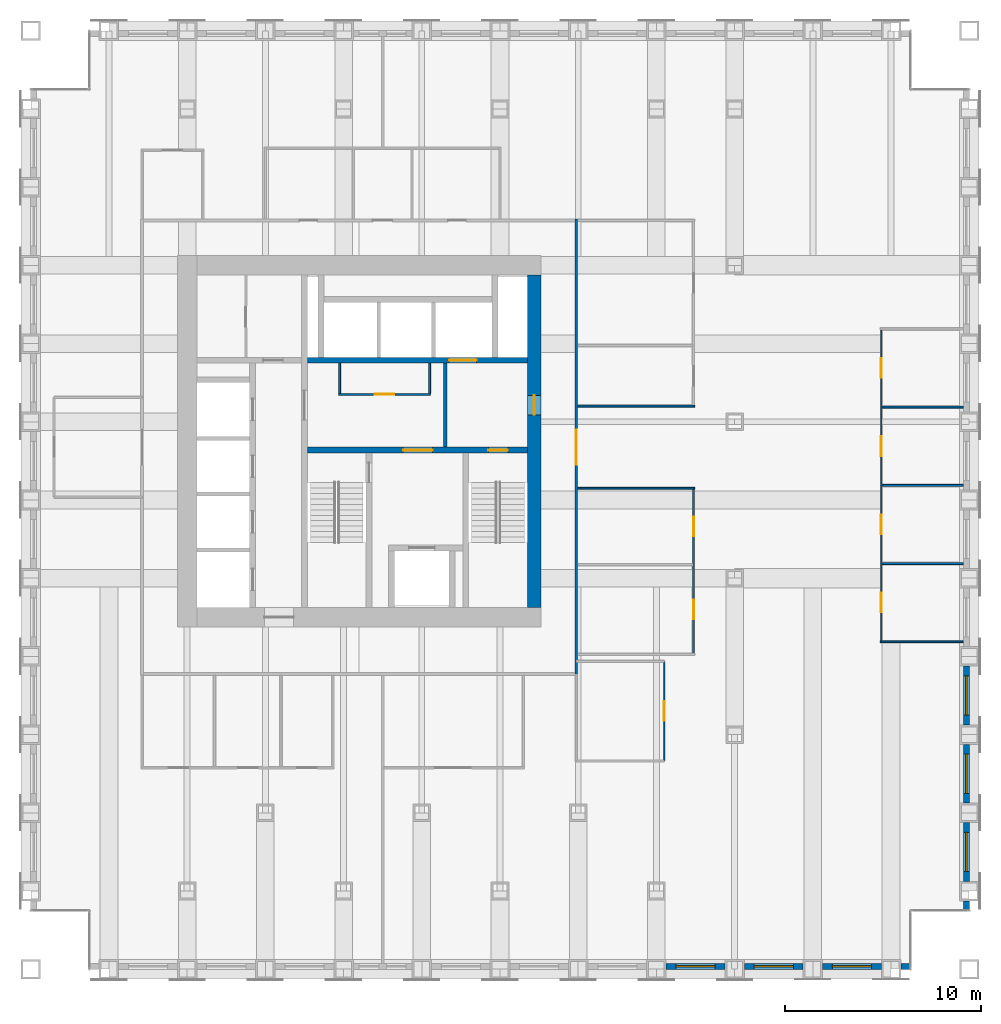
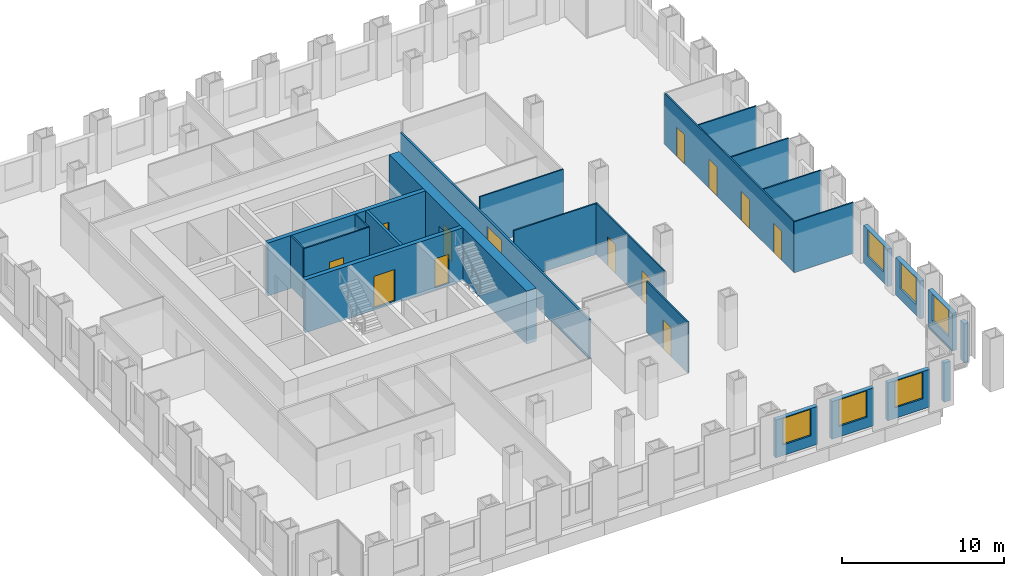
# One storey, part 12 of 16: 25 walls, 13 doors, 6 windows, 19 openings.
"""IFC4 building model written with IfcOpenShell, lengths in metres."""

from ifc_helpers import new_model, si_unit, direction, frame, frame_2d, origin, place, context, subcontext, project, spatial, rectangle, extrude, material, layer, layer_set, type_object, element, fill, save


model = new_model("IFC4")

# Units and contexts
model_context = context("Model", 3, precision=1e-05, world=origin(), true_north=direction((0.0, 1.0)))
body_context = subcontext(model_context, "Body", "Model", "MODEL_VIEW")
ifc_project = project(units=[si_unit("LENGTHUNIT", "METRE"), si_unit("AREAUNIT", "SQUARE_METRE"), si_unit("VOLUMEUNIT", "CUBIC_METRE"), si_unit("PLANEANGLEUNIT", "RADIAN"), si_unit("MASSUNIT", "GRAM", prefix="KILO")], contexts=[model_context])

# Site, building, storey
site_placement = place(None, origin())
site = spatial("IfcSite", under=ifc_project, at=site_placement, CompositionType="ELEMENT")
building_placement = place(site_placement, origin())
building = spatial("IfcBuilding", under=site, at=building_placement, Name="Rimbunsela Tower", CompositionType="ELEMENT")
storey_placement = place(building_placement, frame((0.0, 0.0, 89.39990234375)))
storey = spatial("IfcBuildingStorey", under=building, at=storey_placement, Name="L21", CompositionType="ELEMENT", Elevation=89.39990234375)

# Wall, openings, doors
ifc_material_1 = material(Name="Concrete fc' 80 MPa", Category="concrete")
ifc_layer_1 = layer(ifc_material_1, 0.300048828125)
ifc_layer_set_1 = layer_set([ifc_layer_1], Name="Core internal wall 300")
wall_type_1 = type_object("IfcWallType", Name="Core internal wall 300", PredefinedType="SHEAR", material=ifc_layer_set_1)
wall_1_placement = place(storey_placement, frame((24.14990234375, 26.550048828125, -0.14990234375), z_axis=(0.0, 0.0, 1.0), x_axis=(1.0, 0.0, 0.0)))
wall_1 = element("IfcWall", 1, at=wall_1_placement, inside=storey, type_object=wall_type_1, Name="Core wall lobby south", PredefinedType="SHEAR", context=body_context, shape_type="SweptSolid", body=[
    extrude(rectangle(XDim=11.25, YDim=0.300048828125, at=frame_2d((5.625, 0.0))), origin(), (0.0, 0.0, 1.0), 4.0),
])
opening_1_placement = place(wall_1_placement, frame((9.25, 0.0, 0.14990234375)))
opening_1 = element("IfcOpeningElement", 2, at=opening_1_placement, cuts=wall_1, Name="Opening D01", PredefinedType="OPENING", context=body_context, shape_type="SweptSolid", body=[
    extrude(rectangle(XDim=1.0, YDim=2.199951171875, at=frame_2d((0.5, 1.10009765625))), frame((0.0, 0.159912109375, 0.0), z_axis=(0.0, -1.0, 0.0), x_axis=(1.0, 0.0, 0.0)), (0.0, 0.0, 1.0), 0.320068359375),
])
opening_2_placement = place(wall_1_placement, frame((4.89990234375, 0.0, 0.14990234375)))
opening_2 = element("IfcOpeningElement", 3, at=opening_2_placement, cuts=wall_1, Name="Opening D03", PredefinedType="OPENING", context=body_context, shape_type="SweptSolid", body=[
    extrude(rectangle(XDim=1.5, YDim=2.39990234375, at=frame_2d((0.75, 1.199951171875))), frame((0.0, 0.159912109375, 0.0), z_axis=(0.0, -1.0, 0.0), x_axis=(1.0, 0.0, 0.0)), (0.0, 0.0, 1.0), 0.320068359375),
])
ifc_material_2 = material(Name="Steel door, fire rated", Category="steel")
door_type_1 = type_object("IfcDoorType", Name="Core lobby door 1500", OperationType="DOUBLE_DOOR_DOUBLE_SWING", PredefinedType="DOOR", material=ifc_material_2)
door_1_placement = place(opening_2_placement, origin())
door_1 = element("IfcDoor", 4, at=door_1_placement, inside=storey, type_object=door_type_1, Name="Firefighting lobby door", OperationType="DOUBLE_DOOR_DOUBLE_SWING", OverallHeight=2.39990234375, OverallWidth=1.5, PredefinedType="DOOR", context=body_context, shape_type="SweptSolid", body=[
    extrude(rectangle(XDim=1.5, YDim=2.39990234375, at=frame_2d((0.75, 1.199951171875))), frame((0.0, 0.02490234375, 0.0), z_axis=(0.0, -1.0, 0.0), x_axis=(1.0, 0.0, 0.0)), (0.0, 0.0, 1.0), 0.050048828125),
])
fill(opening_2, door_1)
ifc_material_3 = material(Name="Steel door, fire rated", Category="steel")
door_type_2 = type_object("IfcDoorType", Name="Stair door 1000", OperationType="SINGLE_SWING_RIGHT", PredefinedType="DOOR", material=ifc_material_3)
door_2_placement = place(opening_1_placement, frame((1.0, 0.0, 0.0), z_axis=(0.0, 0.0, 1.0), x_axis=(-1.0, 0.0, 0.0)))
door_2 = element("IfcDoor", 5, at=door_2_placement, inside=storey, type_object=door_type_2, Name="Stair B door", OperationType="SINGLE_SWING_RIGHT", OverallHeight=2.199951171875, OverallWidth=1.0, PredefinedType="DOOR", context=body_context, shape_type="SweptSolid", body=[
    extrude(rectangle(XDim=1.0, YDim=2.199951171875, at=frame_2d((0.5, 1.10009765625))), frame((0.0, 0.02490234375, 0.0), z_axis=(0.0, -1.0, 0.0), x_axis=(1.0, 0.0, 0.0)), (0.0, 0.0, 1.0), 0.050048828125),
])
fill(opening_1, door_2)

# Wall, opening, door
wall_2_placement = place(storey_placement, frame((24.14990234375, 31.14990234375, -0.14990234375), z_axis=(0.0, 0.0, 1.0), x_axis=(1.0, 0.0, 0.0)))
wall_2 = element("IfcWall", 6, at=wall_2_placement, inside=storey, type_object=wall_type_1, Name="Lift shaft front north", PredefinedType="SHEAR", context=body_context, shape_type="SweptSolid", body=[
    extrude(rectangle(XDim=11.25, YDim=0.300048828125, at=frame_2d((5.625, 0.0))), origin(), (0.0, 0.0, 1.0), 4.0),
])
opening_3_placement = place(wall_2_placement, frame((7.25, 0.0, 0.14990234375)))
opening_3 = element("IfcOpeningElement", 7, at=opening_3_placement, cuts=wall_2, Name="Opening LD3", PredefinedType="OPENING", context=body_context, shape_type="SweptSolid", body=[
    extrude(rectangle(XDim=1.39990234375, YDim=2.39990234375, at=frame_2d((0.699951171875, 1.199951171875))), frame((0.0, 0.159912109375, 0.0), z_axis=(0.0, -1.0, 0.0), x_axis=(1.0, 0.0, 0.0)), (0.0, 0.0, 1.0), 0.320068359375),
])
ifc_material_4 = material(Name="Steel door, fire rated", Category="steel")
door_type_3 = type_object("IfcDoorType", Name="Lift landing door 1400", OperationType="DOUBLE_DOOR_SLIDING", PredefinedType="DOOR", material=ifc_material_4)
door_3_placement = place(opening_3_placement, origin())
door_3 = element("IfcDoor", 8, at=door_3_placement, inside=storey, type_object=door_type_3, Name="Lift landing door FL2", OperationType="DOUBLE_DOOR_SLIDING", OverallHeight=2.39990234375, OverallWidth=1.39990234375, PredefinedType="DOOR", context=body_context, shape_type="SweptSolid", body=[
    extrude(rectangle(XDim=1.39990234375, YDim=2.39990234375, at=frame_2d((0.699951171875, 1.199951171875))), frame((0.0, 0.02490234375, 0.0), z_axis=(0.0, -1.0, 0.0), x_axis=(1.0, 0.0, 0.0)), (0.0, 0.0, 1.0), 0.050048828125),
])
fill(opening_3, door_3)

ifc_material_5 = material(Name="Concrete blockwork", Category="masonry")
ifc_layer_2 = layer(ifc_material_5, 0.10009765625)
ifc_layer_set_2 = layer_set([ifc_layer_2], Name="Core room partition 100")
wall_type_2 = type_object("IfcWallType", Name="Core room partition 100", PredefinedType="PARTITIONING", material=ifc_layer_set_2)
wall_3_placement = place(storey_placement, frame((25.75, 29.39990234375, 0.0), z_axis=(0.0, 0.0, 1.0), x_axis=(1.0, 0.0, 0.0)))
wall_3 = element("IfcWall", 9, at=wall_3_placement, inside=storey, type_object=wall_type_2, Name="Lobby room wall", PredefinedType="PARTITIONING", context=body_context, shape_type="SweptSolid", body=[
    extrude(rectangle(XDim=4.699951171875, YDim=0.10009765625, at=frame_2d((2.35009765625, 0.0))), origin(), (0.0, 0.0, 1.0), 3.85009765625),
])
opening_4_placement = place(wall_3_placement, frame((1.85009765625, 0.0, 0.0)))
opening_4 = element("IfcOpeningElement", 10, at=opening_4_placement, cuts=wall_3, Name="Opening D19", PredefinedType="OPENING", context=body_context, shape_type="SweptSolid", body=[
    extrude(rectangle(XDim=1.0, YDim=2.199951171875, at=frame_2d((0.5, 1.10009765625))), frame((0.0, 0.06005859375, 0.0), z_axis=(0.0, -1.0, 0.0), x_axis=(1.0, 0.0, 0.0)), (0.0, 0.0, 1.0), 0.1201171875),
])
ifc_material_6 = material(Name="Steel door, fire rated", Category="steel")
door_type_4 = type_object("IfcDoorType", Name="Service door 1000 fire rated", OperationType="SINGLE_SWING_LEFT", PredefinedType="DOOR", material=ifc_material_6)
door_4_placement = place(opening_4_placement, origin())
door_4 = element("IfcDoor", 11, at=door_4_placement, inside=storey, type_object=door_type_4, Name="Staff pantry door", OperationType="SINGLE_SWING_LEFT", OverallHeight=2.199951171875, OverallWidth=1.0, PredefinedType="DOOR", context=body_context, shape_type="SweptSolid", body=[
    extrude(rectangle(XDim=1.0, YDim=2.199951171875, at=frame_2d((0.5, 1.10009765625))), frame((0.0, 0.02490234375, 0.0), z_axis=(0.0, -1.0, 0.0), x_axis=(1.0, 0.0, 0.0)), (0.0, 0.0, 1.0), 0.050048828125),
])
fill(opening_4, door_4)

# Walls
for number, where, z_axis, x_axis, name in (
    (12, (25.800048828125, 29.449951171875, 0.0), (0.0, 0.0, 1.0), (0.0, 1.0, 0.0), "Lobby room wall"),
    (13, (30.39990234375, 29.449951171875, 0.0), (0.0, 0.0, 1.0), (0.0, 1.0, 0.0), "Lobby room wall"),
):
    element("IfcWall", number, at=place(storey_placement, frame(where, z_axis=z_axis, x_axis=x_axis)), inside=storey, type_object=wall_type_2, Name=name, PredefinedType="PARTITIONING", context=body_context, shape_type="SweptSolid", body=[
        extrude(rectangle(XDim=1.550048828125, YDim=0.10009765625, at=frame_2d((0.77490234375, 0.0))), origin(), (0.0, 0.0, 1.0), 3.85009765625),
    ])

# Wall, opening, door
ifc_material_7 = material(Name="Concrete fc' 80 MPa", Category="concrete")
ifc_layer_3 = layer(ifc_material_7, 0.699951171875)
ifc_layer_set_3 = layer_set([ifc_layer_3], Name="Core wall 700 east")
wall_type_3 = type_object("IfcWallType", Name="Core wall 700 east", PredefinedType="SHEAR", material=ifc_layer_set_3)
wall_4_placement = place(storey_placement, frame((35.75, 18.5, -0.14990234375), z_axis=(0.0, 0.0, 1.0), x_axis=(0.0, 1.0, 0.0)))
wall_4 = element("IfcWall", 14, at=wall_4_placement, inside=storey, type_object=wall_type_3, Name="Core wall east", PredefinedType="SHEAR", context=body_context, shape_type="SweptSolid", body=[
    extrude(rectangle(XDim=17.0, YDim=0.699951171875, at=frame_2d((8.5, 0.0))), origin(), (0.0, 0.0, 1.0), 4.0),
])
opening_5_placement = place(wall_4_placement, frame((9.85009765625, 0.0, 0.14990234375)))
opening_5 = element("IfcOpeningElement", 15, at=opening_5_placement, cuts=wall_4, Name="Opening D01", PredefinedType="OPENING", context=body_context, shape_type="SweptSolid", body=[
    extrude(rectangle(XDim=1.0, YDim=2.199951171875, at=frame_2d((0.5, 1.10009765625))), frame((0.0, 0.35986328125, 0.0), z_axis=(0.0, -1.0, 0.0), x_axis=(1.0, 0.0, 0.0)), (0.0, 0.0, 1.0), 0.719970703125),
])
door_5_placement = place(opening_5_placement, origin())
door_5 = element("IfcDoor", 16, at=door_5_placement, inside=storey, type_object=door_type_2, Name="Firefighting lobby 2 door", OperationType="SINGLE_SWING_RIGHT", OverallHeight=2.199951171875, OverallWidth=1.0, PredefinedType="DOOR", context=body_context, shape_type="SweptSolid", body=[
    extrude(rectangle(XDim=1.0, YDim=2.199951171875, at=frame_2d((0.5, 1.10009765625))), frame((0.0, 0.02490234375, 0.0), z_axis=(0.0, -1.0, 0.0), x_axis=(1.0, 0.0, 0.0)), (0.0, 0.0, 1.0), 0.050048828125),
])
fill(opening_5, door_5)

# Walls
ifc_material_8 = material(Name="Concrete blockwork", Category="masonry")
ifc_layer_4 = layer(ifc_material_8, 0.199951171875)
ifc_layer_set_4 = layer_set([ifc_layer_4], Name="Lift shaft wall 200")
wall_type_4 = type_object("IfcWallType", Name="Lift shaft wall 200", PredefinedType="SOLIDWALL", material=ifc_layer_set_4)
wall_5_placement = place(storey_placement, frame((31.199951171875, 26.699951171875, 0.0), z_axis=(0.0, 0.0, 1.0), x_axis=(0.0, 1.0, 0.0)))
element("IfcWall", 17, at=wall_5_placement, inside=storey, type_object=wall_type_4, Name="Firefighting lobby 2 wall", PredefinedType="SOLIDWALL", context=body_context, shape_type="SweptSolid", body=[
    extrude(rectangle(XDim=4.300048828125, YDim=0.199951171875, at=frame_2d((2.14990234375, 0.0))), origin(), (0.0, 0.0, 1.0), 3.85009765625),
])
ifc_material_9 = material(Name="Gypsum board on steel studs", Category="steel")
ifc_layer_5 = layer(ifc_material_9, 0.10009765625)
ifc_layer_set_5 = layer_set([ifc_layer_5], Name="Office partition 100")
wall_type_5 = type_object("IfcWallType", Name="Office partition 100", PredefinedType="PARTITIONING", material=ifc_layer_set_5)
wall_6_placement = place(storey_placement, frame((53.449951171875, 16.75, 0.0), z_axis=(0.0, 0.0, 1.0), x_axis=(1.0, 0.0, 0.0)))
element("IfcWall", 18, at=wall_6_placement, inside=storey, type_object=wall_type_5, Name="Office partition", PredefinedType="PARTITIONING", context=body_context, shape_type="SweptSolid", body=[
    extrude(rectangle(XDim=4.25, YDim=0.10009765625, at=frame_2d((2.125, 0.0))), origin(), (0.0, 0.0, 1.0), 3.85009765625),
])
wall_7_placement = place(storey_placement, frame((53.550048828125, 20.75, 0.0), z_axis=(0.0, 0.0, 1.0), x_axis=(1.0, 0.0, 0.0)))
element("IfcWall", 19, at=wall_7_placement, inside=storey, type_object=wall_type_5, Name="Office partition", PredefinedType="PARTITIONING", context=body_context, shape_type="SweptSolid", body=[
    extrude(rectangle(XDim=4.14990234375, YDim=0.10009765625, at=frame_2d((2.074951171875, 0.0))), origin(), (0.0, 0.0, 1.0), 3.85009765625),
])
wall_8_placement = place(storey_placement, frame((37.97509765625, 24.60009765625, 0.0), z_axis=(0.0, 0.0, 1.0), x_axis=(1.0, 0.0, 0.0)))
element("IfcWall", 20, at=wall_8_placement, inside=storey, type_object=wall_type_5, Name="Office partition", PredefinedType="PARTITIONING", context=body_context, shape_type="SweptSolid", body=[
    extrude(rectangle(XDim=5.974853515625, YDim=0.10009765625, at=frame_2d((2.9873046875, 0.0))), origin(), (0.0, 0.0, 1.0), 3.85009765625),
])
for number, where, z_axis, x_axis, name in (
    (21, (53.550048828125, 24.75, 0.0), (0.0, 0.0, 1.0), (1.0, 0.0, 0.0), "Office partition"),
    (22, (53.550048828125, 28.75, 0.0), (0.0, 0.0, 1.0), (1.0, 0.0, 0.0), "Office partition"),
):
    element("IfcWall", number, at=place(storey_placement, frame(where, z_axis=z_axis, x_axis=x_axis)), inside=storey, type_object=wall_type_5, Name=name, PredefinedType="PARTITIONING", context=body_context, shape_type="SweptSolid", body=[
        extrude(rectangle(XDim=4.14990234375, YDim=0.10009765625, at=frame_2d((2.074951171875, 0.0))), origin(), (0.0, 0.0, 1.0), 3.85009765625),
    ])
wall_9_placement = place(storey_placement, frame((37.97509765625, 28.800048828125, 0.0), z_axis=(0.0, 0.0, 1.0), x_axis=(1.0, 0.0, 0.0)))
element("IfcWall", 23, at=wall_9_placement, inside=storey, type_object=wall_type_5, Name="Office partition", PredefinedType="PARTITIONING", context=body_context, shape_type="SweptSolid", body=[
    extrude(rectangle(XDim=5.974853515625, YDim=0.10009765625, at=frame_2d((2.9873046875, 0.0))), origin(), (0.0, 0.0, 1.0), 3.85009765625),
])

# Wall, openings, doors
wall_10_placement = place(storey_placement, frame((43.89990234375, 16.14990234375, 0.0), z_axis=(0.0, 0.0, 1.0), x_axis=(0.0, 1.0, 0.0)))
wall_10 = element("IfcWall", 24, at=wall_10_placement, inside=storey, type_object=wall_type_5, Name="Office partition", PredefinedType="PARTITIONING", context=body_context, shape_type="SweptSolid", body=[
    extrude(rectangle(XDim=8.400146484375, YDim=0.10009765625, at=frame_2d((4.2001953125, 0.0))), origin(), (0.0, 0.0, 1.0), 3.85009765625),
])
opening_6_placement = place(wall_10_placement, frame((1.75, 0.0, 0.0)))
opening_6 = element("IfcOpeningElement", 25, at=opening_6_placement, cuts=wall_10, Name="Opening D16", PredefinedType="OPENING", context=body_context, shape_type="SweptSolid", body=[
    extrude(rectangle(XDim=1.0, YDim=2.199951171875, at=frame_2d((0.5, 1.10009765625))), frame((0.0, 0.06005859375, 0.0), z_axis=(0.0, -1.0, 0.0), x_axis=(1.0, 0.0, 0.0)), (0.0, 0.0, 1.0), 0.1201171875),
])
opening_7_placement = place(wall_10_placement, frame((6.0, 0.0, 0.0)))
opening_7 = element("IfcOpeningElement", 26, at=opening_7_placement, cuts=wall_10, Name="Opening D16", PredefinedType="OPENING", context=body_context, shape_type="SweptSolid", body=[
    extrude(rectangle(XDim=1.0, YDim=2.199951171875, at=frame_2d((0.5, 1.10009765625))), frame((0.0, 0.06005859375, 0.0), z_axis=(0.0, -1.0, 0.0), x_axis=(1.0, 0.0, 0.0)), (0.0, 0.0, 1.0), 0.1201171875),
])
ifc_material_10 = material(Name="Timber door", Category="wood")
door_type_5 = type_object("IfcDoorType", Name="Office door 1000", OperationType="SINGLE_SWING_LEFT", PredefinedType="DOOR", material=ifc_material_10)
door_6_placement = place(opening_6_placement, origin())
door_6 = element("IfcDoor", 27, at=door_6_placement, inside=storey, type_object=door_type_5, Name="Office door", OperationType="SINGLE_SWING_LEFT", OverallHeight=2.199951171875, OverallWidth=1.0, PredefinedType="DOOR", context=body_context, shape_type="SweptSolid", body=[
    extrude(rectangle(XDim=1.0, YDim=2.199951171875, at=frame_2d((0.5, 1.10009765625))), frame((0.0, 0.02490234375, 0.0), z_axis=(0.0, -1.0, 0.0), x_axis=(1.0, 0.0, 0.0)), (0.0, 0.0, 1.0), 0.050048828125),
])
fill(opening_6, door_6)
door_7_placement = place(opening_7_placement, origin())
door_7 = element("IfcDoor", 28, at=door_7_placement, inside=storey, type_object=door_type_5, Name="Office door", OperationType="SINGLE_SWING_LEFT", OverallHeight=2.199951171875, OverallWidth=1.0, PredefinedType="DOOR", context=body_context, shape_type="SweptSolid", body=[
    extrude(rectangle(XDim=1.0, YDim=2.199951171875, at=frame_2d((0.5, 1.10009765625))), frame((0.0, 0.02490234375, 0.0), z_axis=(0.0, -1.0, 0.0), x_axis=(1.0, 0.0, 0.0)), (0.0, 0.0, 1.0), 0.050048828125),
])
fill(opening_7, door_7)

wall_11_placement = place(storey_placement, frame((53.5, 16.800048828125, 0.0), z_axis=(0.0, 0.0, 1.0), x_axis=(0.0, 1.0, 0.0)))
wall_11 = element("IfcWall", 29, at=wall_11_placement, inside=storey, type_object=wall_type_5, Name="Office partition", PredefinedType="PARTITIONING", context=body_context, shape_type="SweptSolid", body=[
    extrude(rectangle(XDim=15.89990234375, YDim=0.10009765625, at=frame_2d((7.949951171875, 0.0))), origin(), (0.0, 0.0, 1.0), 3.85009765625),
])
opening_8_placement = place(wall_11_placement, frame((1.449951171875, 0.0, 0.0)))
opening_8 = element("IfcOpeningElement", 30, at=opening_8_placement, cuts=wall_11, Name="Opening D16", PredefinedType="OPENING", context=body_context, shape_type="SweptSolid", body=[
    extrude(rectangle(XDim=1.0, YDim=2.199951171875, at=frame_2d((0.5, 1.10009765625))), frame((0.0, 0.06005859375, 0.0), z_axis=(0.0, -1.0, 0.0), x_axis=(1.0, 0.0, 0.0)), (0.0, 0.0, 1.0), 0.1201171875),
])
opening_9_placement = place(wall_11_placement, frame((5.449951171875, 0.0, 0.0)))
opening_9 = element("IfcOpeningElement", 31, at=opening_9_placement, cuts=wall_11, Name="Opening D16", PredefinedType="OPENING", context=body_context, shape_type="SweptSolid", body=[
    extrude(rectangle(XDim=1.0, YDim=2.199951171875, at=frame_2d((0.5, 1.10009765625))), frame((0.0, 0.06005859375, 0.0), z_axis=(0.0, -1.0, 0.0), x_axis=(1.0, 0.0, 0.0)), (0.0, 0.0, 1.0), 0.1201171875),
])
opening_10_placement = place(wall_11_placement, frame((9.449951171875, 0.0, 0.0)))
opening_10 = element("IfcOpeningElement", 32, at=opening_10_placement, cuts=wall_11, Name="Opening D16", PredefinedType="OPENING", context=body_context, shape_type="SweptSolid", body=[
    extrude(rectangle(XDim=1.0, YDim=2.199951171875, at=frame_2d((0.5, 1.10009765625))), frame((0.0, 0.06005859375, 0.0), z_axis=(0.0, -1.0, 0.0), x_axis=(1.0, 0.0, 0.0)), (0.0, 0.0, 1.0), 0.1201171875),
])
opening_11_placement = place(wall_11_placement, frame((13.449951171875, 0.0, 0.0)))
opening_11 = element("IfcOpeningElement", 33, at=opening_11_placement, cuts=wall_11, Name="Opening D16", PredefinedType="OPENING", context=body_context, shape_type="SweptSolid", body=[
    extrude(rectangle(XDim=1.0, YDim=2.199951171875, at=frame_2d((0.5, 1.10009765625))), frame((0.0, 0.06005859375, 0.0), z_axis=(0.0, -1.0, 0.0), x_axis=(1.0, 0.0, 0.0)), (0.0, 0.0, 1.0), 0.1201171875),
])
door_8_placement = place(opening_8_placement, origin())
door_8 = element("IfcDoor", 34, at=door_8_placement, inside=storey, type_object=door_type_5, Name="Office door", OperationType="SINGLE_SWING_LEFT", OverallHeight=2.199951171875, OverallWidth=1.0, PredefinedType="DOOR", context=body_context, shape_type="SweptSolid", body=[
    extrude(rectangle(XDim=1.0, YDim=2.199951171875, at=frame_2d((0.5, 1.10009765625))), frame((0.0, 0.02490234375, 0.0), z_axis=(0.0, -1.0, 0.0), x_axis=(1.0, 0.0, 0.0)), (0.0, 0.0, 1.0), 0.050048828125),
])
fill(opening_8, door_8)
door_9_placement = place(opening_9_placement, origin())
door_9 = element("IfcDoor", 35, at=door_9_placement, inside=storey, type_object=door_type_5, Name="Office door", OperationType="SINGLE_SWING_LEFT", OverallHeight=2.199951171875, OverallWidth=1.0, PredefinedType="DOOR", context=body_context, shape_type="SweptSolid", body=[
    extrude(rectangle(XDim=1.0, YDim=2.199951171875, at=frame_2d((0.5, 1.10009765625))), frame((0.0, 0.02490234375, 0.0), z_axis=(0.0, -1.0, 0.0), x_axis=(1.0, 0.0, 0.0)), (0.0, 0.0, 1.0), 0.050048828125),
])
fill(opening_9, door_9)
door_10_placement = place(opening_10_placement, origin())
door_10 = element("IfcDoor", 36, at=door_10_placement, inside=storey, type_object=door_type_5, Name="Office door", OperationType="SINGLE_SWING_LEFT", OverallHeight=2.199951171875, OverallWidth=1.0, PredefinedType="DOOR", context=body_context, shape_type="SweptSolid", body=[
    extrude(rectangle(XDim=1.0, YDim=2.199951171875, at=frame_2d((0.5, 1.10009765625))), frame((0.0, 0.02490234375, 0.0), z_axis=(0.0, -1.0, 0.0), x_axis=(1.0, 0.0, 0.0)), (0.0, 0.0, 1.0), 0.050048828125),
])
fill(opening_10, door_10)
door_11_placement = place(opening_11_placement, origin())
door_11 = element("IfcDoor", 37, at=door_11_placement, inside=storey, type_object=door_type_5, Name="Office door", OperationType="SINGLE_SWING_LEFT", OverallHeight=2.199951171875, OverallWidth=1.0, PredefinedType="DOOR", context=body_context, shape_type="SweptSolid", body=[
    extrude(rectangle(XDim=1.0, YDim=2.199951171875, at=frame_2d((0.5, 1.10009765625))), frame((0.0, 0.02490234375, 0.0), z_axis=(0.0, -1.0, 0.0), x_axis=(1.0, 0.0, 0.0)), (0.0, 0.0, 1.0), 0.050048828125),
])
fill(opening_11, door_11)

# Wall, opening, door
wall_12_placement = place(storey_placement, frame((42.39990234375, 10.64990234375, 0.0), z_axis=(0.0, 0.0, 1.0), x_axis=(0.0, 1.0, 0.0)))
wall_12 = element("IfcWall", 38, at=wall_12_placement, inside=storey, type_object=wall_type_5, Name="Office partition", PredefinedType="PARTITIONING", context=body_context, shape_type="SweptSolid", body=[
    extrude(rectangle(XDim=5.10009765625, YDim=0.10009765625, at=frame_2d((2.550048828125, 0.0))), origin(), (0.0, 0.0, 1.0), 3.85009765625),
])
opening_12_placement = place(wall_12_placement, frame((2.050048828125, 0.0, 0.0)))
opening_12 = element("IfcOpeningElement", 39, at=opening_12_placement, cuts=wall_12, Name="Opening D17", PredefinedType="OPENING", context=body_context, shape_type="SweptSolid", body=[
    extrude(rectangle(XDim=1.0, YDim=2.199951171875, at=frame_2d((0.5, 1.10009765625))), frame((0.0, 0.06005859375, 0.0), z_axis=(0.0, -1.0, 0.0), x_axis=(1.0, 0.0, 0.0)), (0.0, 0.0, 1.0), 0.1201171875),
])
ifc_material_11 = material(Name="Glazed aluminium door", Category="aluminium")
door_type_6 = type_object("IfcDoorType", Name="Meeting room door 1000 glazed", OperationType="SINGLE_SWING_RIGHT", PredefinedType="DOOR", material=ifc_material_11)
door_12_placement = place(opening_12_placement, origin())
door_12 = element("IfcDoor", 40, at=door_12_placement, inside=storey, type_object=door_type_6, Name="Reception door", OperationType="SINGLE_SWING_RIGHT", OverallHeight=2.199951171875, OverallWidth=1.0, PredefinedType="DOOR", context=body_context, shape_type="SweptSolid", body=[
    extrude(rectangle(XDim=1.0, YDim=2.199951171875, at=frame_2d((0.5, 1.10009765625))), frame((0.0, 0.02490234375, 0.0), z_axis=(0.0, -1.0, 0.0), x_axis=(1.0, 0.0, 0.0)), (0.0, 0.0, 1.0), 0.050048828125),
])
fill(opening_12, door_12)

# Wall, opening, window
ifc_material_12 = material(Name="Precast concrete fc' 35 MPa", Category="concrete")
ifc_layer_6 = layer(ifc_material_12, 0.300048828125)
ifc_layer_set_6 = layer_set([ifc_layer_6], Name="Precast concrete fc' 35 MPa")
wall_type_6 = type_object("IfcWallType", Name="Precast facade panel 300", PredefinedType="ELEMENTEDWALL", material=ifc_layer_set_6)
wall_13_placement = place(storey_placement, frame((42.5, 0.14990234375, 0.0), z_axis=(0.0, 0.0, 1.0), x_axis=(1.0, 0.0, 0.0)))
wall_13 = element("IfcWall", 41, at=wall_13_placement, inside=storey, type_object=wall_type_6, Name="Facade panel S L21", PredefinedType="ELEMENTEDWALL", context=body_context, shape_type="SweptSolid", body=[
    extrude(rectangle(XDim=3.0, YDim=0.300048828125, at=frame_2d((1.5, 0.0))), origin(), (0.0, 0.0, 1.0), 2.85009765625),
])
opening_13_placement = place(wall_13_placement, frame((0.5, 0.0, 0.800048828125)))
opening_13 = element("IfcOpeningElement", 42, at=opening_13_placement, cuts=wall_13, Name="Opening W1", PredefinedType="OPENING", context=body_context, shape_type="SweptSolid", body=[
    extrude(rectangle(XDim=2.0, YDim=2.0, at=frame_2d((1.0, 1.0))), frame((0.0, 0.159912109375, 0.0), z_axis=(0.0, -1.0, 0.0), x_axis=(1.0, 0.0, 0.0)), (0.0, 0.0, 1.0), 0.320068359375),
])
ifc_material_13 = material(Name="Clear glass in aluminium frame", Category="aluminium")
window_type = type_object("IfcWindowType", Name="Window W1 2000x2000", PartitioningType="DOUBLE_PANEL_VERTICAL", PredefinedType="WINDOW", material=ifc_material_13)
window_1_placement = place(opening_13_placement, origin())
window_1 = element("IfcWindow", 43, at=window_1_placement, inside=storey, type_object=window_type, Name="Window L21", OverallHeight=2.0, OverallWidth=2.0, PartitioningType="SINGLE_PANEL", PredefinedType="WINDOW", context=body_context, shape_type="SweptSolid", body=[
    extrude(rectangle(XDim=2.0, YDim=2.0, at=frame_2d((1.0, 1.0))), frame((0.0, 0.030029296875, 0.0), z_axis=(0.0, -1.0, 0.0), x_axis=(1.0, 0.0, 0.0)), (0.0, 0.0, 1.0), 0.06005859375),
])
fill(opening_13, window_1)

wall_14_placement = place(storey_placement, frame((46.5, 0.14990234375, 0.0), z_axis=(0.0, 0.0, 1.0), x_axis=(1.0, 0.0, 0.0)))
wall_14 = element("IfcWall", 44, at=wall_14_placement, inside=storey, type_object=wall_type_6, Name="Facade panel S L21", PredefinedType="ELEMENTEDWALL", context=body_context, shape_type="SweptSolid", body=[
    extrude(rectangle(XDim=3.0, YDim=0.300048828125, at=frame_2d((1.5, 0.0))), origin(), (0.0, 0.0, 1.0), 2.85009765625),
])
opening_14_placement = place(wall_14_placement, frame((0.5, 0.0, 0.800048828125)))
opening_14 = element("IfcOpeningElement", 45, at=opening_14_placement, cuts=wall_14, Name="Opening W1", PredefinedType="OPENING", context=body_context, shape_type="SweptSolid", body=[
    extrude(rectangle(XDim=2.0, YDim=2.0, at=frame_2d((1.0, 1.0))), frame((0.0, 0.159912109375, 0.0), z_axis=(0.0, -1.0, 0.0), x_axis=(1.0, 0.0, 0.0)), (0.0, 0.0, 1.0), 0.320068359375),
])
window_2_placement = place(opening_14_placement, origin())
window_2 = element("IfcWindow", 46, at=window_2_placement, inside=storey, type_object=window_type, Name="Window L21", OverallHeight=2.0, OverallWidth=2.0, PartitioningType="SINGLE_PANEL", PredefinedType="WINDOW", context=body_context, shape_type="SweptSolid", body=[
    extrude(rectangle(XDim=2.0, YDim=2.0, at=frame_2d((1.0, 1.0))), frame((0.0, 0.030029296875, 0.0), z_axis=(0.0, -1.0, 0.0), x_axis=(1.0, 0.0, 0.0)), (0.0, 0.0, 1.0), 0.06005859375),
])
fill(opening_14, window_2)

wall_15_placement = place(storey_placement, frame((50.5, 0.14990234375, 0.0), z_axis=(0.0, 0.0, 1.0), x_axis=(1.0, 0.0, 0.0)))
wall_15 = element("IfcWall", 47, at=wall_15_placement, inside=storey, type_object=wall_type_6, Name="Facade panel S L21", PredefinedType="ELEMENTEDWALL", context=body_context, shape_type="SweptSolid", body=[
    extrude(rectangle(XDim=3.0, YDim=0.300048828125, at=frame_2d((1.5, 0.0))), origin(), (0.0, 0.0, 1.0), 2.85009765625),
])
opening_15_placement = place(wall_15_placement, frame((0.5, 0.0, 0.800048828125)))
opening_15 = element("IfcOpeningElement", 48, at=opening_15_placement, cuts=wall_15, Name="Opening W1", PredefinedType="OPENING", context=body_context, shape_type="SweptSolid", body=[
    extrude(rectangle(XDim=2.0, YDim=2.0, at=frame_2d((1.0, 1.0))), frame((0.0, 0.159912109375, 0.0), z_axis=(0.0, -1.0, 0.0), x_axis=(1.0, 0.0, 0.0)), (0.0, 0.0, 1.0), 0.320068359375),
])
window_3_placement = place(opening_15_placement, origin())
window_3 = element("IfcWindow", 49, at=window_3_placement, inside=storey, type_object=window_type, Name="Window L21", OverallHeight=2.0, OverallWidth=2.0, PartitioningType="SINGLE_PANEL", PredefinedType="WINDOW", context=body_context, shape_type="SweptSolid", body=[
    extrude(rectangle(XDim=2.0, YDim=2.0, at=frame_2d((1.0, 1.0))), frame((0.0, 0.030029296875, 0.0), z_axis=(0.0, -1.0, 0.0), x_axis=(1.0, 0.0, 0.0)), (0.0, 0.0, 1.0), 0.06005859375),
])
fill(opening_15, window_3)

# Walls
for number, where, z_axis, x_axis, name in (
    (50, (54.5, 0.14990234375, 0.0), (0.0, 0.0, 1.0), (1.0, 0.0, 0.0), "Facade panel S L21"),
    (51, (57.85009765625, 3.030029296875, 0.0), (0.0, 0.0, 1.0), (0.0, 1.0, 0.0), "Facade panel E L21"),
):
    element("IfcWall", number, at=place(storey_placement, frame(where, z_axis=z_axis, x_axis=x_axis)), inside=storey, type_object=wall_type_6, Name=name, PredefinedType="ELEMENTEDWALL", context=body_context, shape_type="SweptSolid", body=[
        extrude(rectangle(XDim=0.469970703125, YDim=0.300048828125, at=frame_2d((0.23486328125, 0.0))), origin(), (0.0, 0.0, 1.0), 2.9501953125),
    ])

# Wall, opening, window
wall_16_placement = place(storey_placement, frame((57.85009765625, 4.5, 0.0), z_axis=(0.0, 0.0, 1.0), x_axis=(0.0, 1.0, 0.0)))
wall_16 = element("IfcWall", 52, at=wall_16_placement, inside=storey, type_object=wall_type_6, Name="Facade panel E L21", PredefinedType="ELEMENTEDWALL", context=body_context, shape_type="SweptSolid", body=[
    extrude(rectangle(XDim=3.0, YDim=0.300048828125, at=frame_2d((1.5, 0.0))), origin(), (0.0, 0.0, 1.0), 2.85009765625),
])
opening_16_placement = place(wall_16_placement, frame((0.5, 0.0, 0.800048828125)))
opening_16 = element("IfcOpeningElement", 53, at=opening_16_placement, cuts=wall_16, Name="Opening W1", PredefinedType="OPENING", context=body_context, shape_type="SweptSolid", body=[
    extrude(rectangle(XDim=2.0, YDim=2.0, at=frame_2d((1.0, 1.0))), frame((0.0, 0.159912109375, 0.0), z_axis=(0.0, -1.0, 0.0), x_axis=(1.0, 0.0, 0.0)), (0.0, 0.0, 1.0), 0.320068359375),
])
window_4_placement = place(opening_16_placement, origin())
window_4 = element("IfcWindow", 54, at=window_4_placement, inside=storey, type_object=window_type, Name="Window L21", OverallHeight=2.0, OverallWidth=2.0, PartitioningType="SINGLE_PANEL", PredefinedType="WINDOW", context=body_context, shape_type="SweptSolid", body=[
    extrude(rectangle(XDim=2.0, YDim=2.0, at=frame_2d((1.0, 1.0))), frame((0.0, 0.030029296875, 0.0), z_axis=(0.0, -1.0, 0.0), x_axis=(1.0, 0.0, 0.0)), (0.0, 0.0, 1.0), 0.06005859375),
])
fill(opening_16, window_4)

wall_17_placement = place(storey_placement, frame((57.85009765625, 8.5, 0.0), z_axis=(0.0, 0.0, 1.0), x_axis=(0.0, 1.0, 0.0)))
wall_17 = element("IfcWall", 55, at=wall_17_placement, inside=storey, type_object=wall_type_6, Name="Facade panel E L21", PredefinedType="ELEMENTEDWALL", context=body_context, shape_type="SweptSolid", body=[
    extrude(rectangle(XDim=3.0, YDim=0.300048828125, at=frame_2d((1.5, 0.0))), origin(), (0.0, 0.0, 1.0), 2.85009765625),
])
opening_17_placement = place(wall_17_placement, frame((0.5, 0.0, 0.800048828125)))
opening_17 = element("IfcOpeningElement", 56, at=opening_17_placement, cuts=wall_17, Name="Opening W1", PredefinedType="OPENING", context=body_context, shape_type="SweptSolid", body=[
    extrude(rectangle(XDim=2.0, YDim=2.0, at=frame_2d((1.0, 1.0))), frame((0.0, 0.159912109375, 0.0), z_axis=(0.0, -1.0, 0.0), x_axis=(1.0, 0.0, 0.0)), (0.0, 0.0, 1.0), 0.320068359375),
])
window_5_placement = place(opening_17_placement, origin())
window_5 = element("IfcWindow", 57, at=window_5_placement, inside=storey, type_object=window_type, Name="Window L21", OverallHeight=2.0, OverallWidth=2.0, PartitioningType="SINGLE_PANEL", PredefinedType="WINDOW", context=body_context, shape_type="SweptSolid", body=[
    extrude(rectangle(XDim=2.0, YDim=2.0, at=frame_2d((1.0, 1.0))), frame((0.0, 0.030029296875, 0.0), z_axis=(0.0, -1.0, 0.0), x_axis=(1.0, 0.0, 0.0)), (0.0, 0.0, 1.0), 0.06005859375),
])
fill(opening_17, window_5)

wall_18_placement = place(storey_placement, frame((57.85009765625, 12.5, 0.0), z_axis=(0.0, 0.0, 1.0), x_axis=(0.0, 1.0, 0.0)))
wall_18 = element("IfcWall", 58, at=wall_18_placement, inside=storey, type_object=wall_type_6, Name="Facade panel E L21", PredefinedType="ELEMENTEDWALL", context=body_context, shape_type="SweptSolid", body=[
    extrude(rectangle(XDim=3.0, YDim=0.300048828125, at=frame_2d((1.5, 0.0))), origin(), (0.0, 0.0, 1.0), 2.85009765625),
])
opening_18_placement = place(wall_18_placement, frame((0.5, 0.0, 0.800048828125)))
opening_18 = element("IfcOpeningElement", 59, at=opening_18_placement, cuts=wall_18, Name="Opening W1", PredefinedType="OPENING", context=body_context, shape_type="SweptSolid", body=[
    extrude(rectangle(XDim=2.0, YDim=2.0, at=frame_2d((1.0, 1.0))), frame((0.0, 0.159912109375, 0.0), z_axis=(0.0, -1.0, 0.0), x_axis=(1.0, 0.0, 0.0)), (0.0, 0.0, 1.0), 0.320068359375),
])
window_6_placement = place(opening_18_placement, origin())
window_6 = element("IfcWindow", 60, at=window_6_placement, inside=storey, type_object=window_type, Name="Window L21", OverallHeight=2.0, OverallWidth=2.0, PartitioningType="SINGLE_PANEL", PredefinedType="WINDOW", context=body_context, shape_type="SweptSolid", body=[
    extrude(rectangle(XDim=2.0, YDim=2.0, at=frame_2d((1.0, 1.0))), frame((0.0, 0.030029296875, 0.0), z_axis=(0.0, -1.0, 0.0), x_axis=(1.0, 0.0, 0.0)), (0.0, 0.0, 1.0), 0.06005859375),
])
fill(opening_18, window_6)

# Wall, opening, door
ifc_material_14 = material(Name="Fire-rated gypsum board on steel studs, EI 60", Category="steel")
ifc_layer_7 = layer(ifc_material_14, 0.14990234375)
ifc_layer_set_7 = layer_set([ifc_layer_7], Name="Rated corridor wall 150")
wall_type_7 = type_object("IfcWallType", Name="Rated corridor wall 150", PredefinedType="PARTITIONING", material=ifc_layer_set_7)
wall_19_placement = place(storey_placement, frame((37.89990234375, 15.02490234375, 0.0), z_axis=(0.0, 0.0, 1.0), x_axis=(0.0, 1.0, 0.0)))
wall_19 = element("IfcWall", 61, at=wall_19_placement, inside=storey, type_object=wall_type_7, Name="Corridor wall east", PredefinedType="PARTITIONING", context=body_context, shape_type="SweptSolid", body=[
    extrude(rectangle(XDim=23.35009765625, YDim=0.14990234375, at=frame_2d((11.675048828125, 0.0))), origin(), (0.0, 0.0, 1.0), 2.9501953125),
])
opening_19_placement = place(wall_19_placement, frame((10.77490234375, 0.0, 0.0)))
opening_19 = element("IfcOpeningElement", 62, at=opening_19_placement, cuts=wall_19, Name="Opening D09", PredefinedType="OPENING", context=body_context, shape_type="SweptSolid", body=[
    extrude(rectangle(XDim=1.800048828125, YDim=2.39990234375, at=frame_2d((0.89990234375, 1.199951171875))), frame((0.0, 0.0849609375, 0.0), z_axis=(0.0, -1.0, 0.0), x_axis=(1.0, 0.0, 0.0)), (0.0, 0.0, 1.0), 0.169921875),
])
ifc_material_15 = material(Name="Glazed aluminium door, fire rated", Category="aluminium")
door_type_7 = type_object("IfcDoorType", Name="Tenancy door 1800 glazed", OperationType="DOUBLE_DOOR_DOUBLE_SWING", PredefinedType="DOOR", material=ifc_material_15)
door_13_placement = place(opening_19_placement, origin())
door_13 = element("IfcDoor", 63, at=door_13_placement, inside=storey, type_object=door_type_7, Name="Tenancy door", OperationType="DOUBLE_DOOR_DOUBLE_SWING", OverallHeight=2.39990234375, OverallWidth=1.800048828125, PredefinedType="DOOR", context=body_context, shape_type="SweptSolid", body=[
    extrude(rectangle(XDim=1.800048828125, YDim=2.39990234375, at=frame_2d((0.89990234375, 1.199951171875))), frame((0.0, 0.02490234375, 0.0), z_axis=(0.0, -1.0, 0.0), x_axis=(1.0, 0.0, 0.0)), (0.0, 0.0, 1.0), 0.050048828125),
])
fill(opening_19, door_13)

save(model, "model.ifc")
